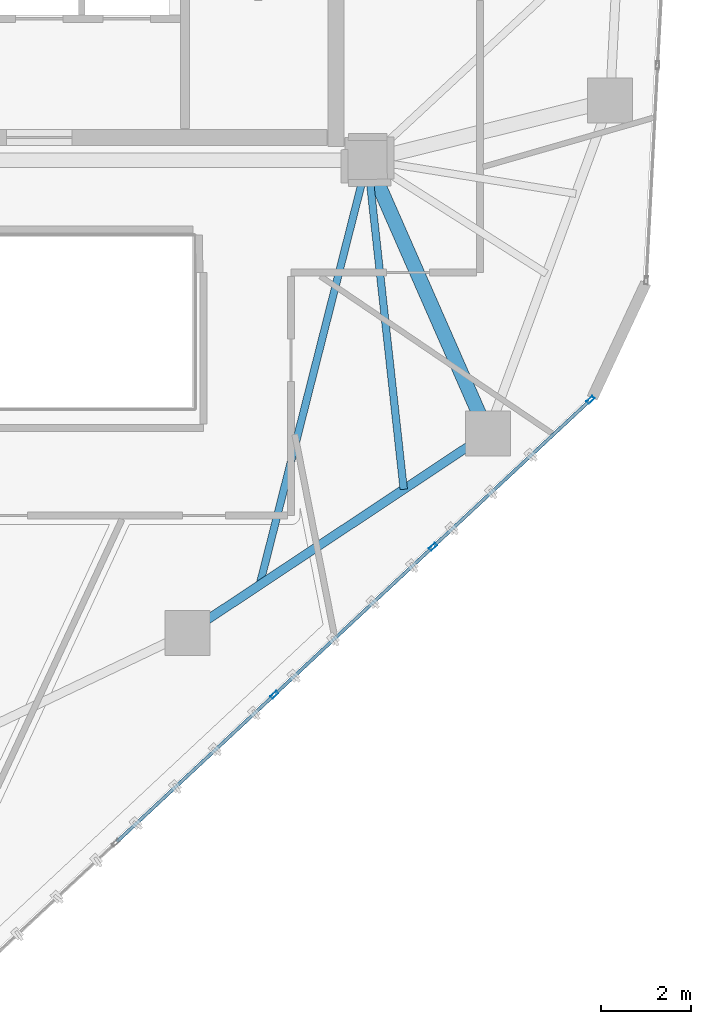
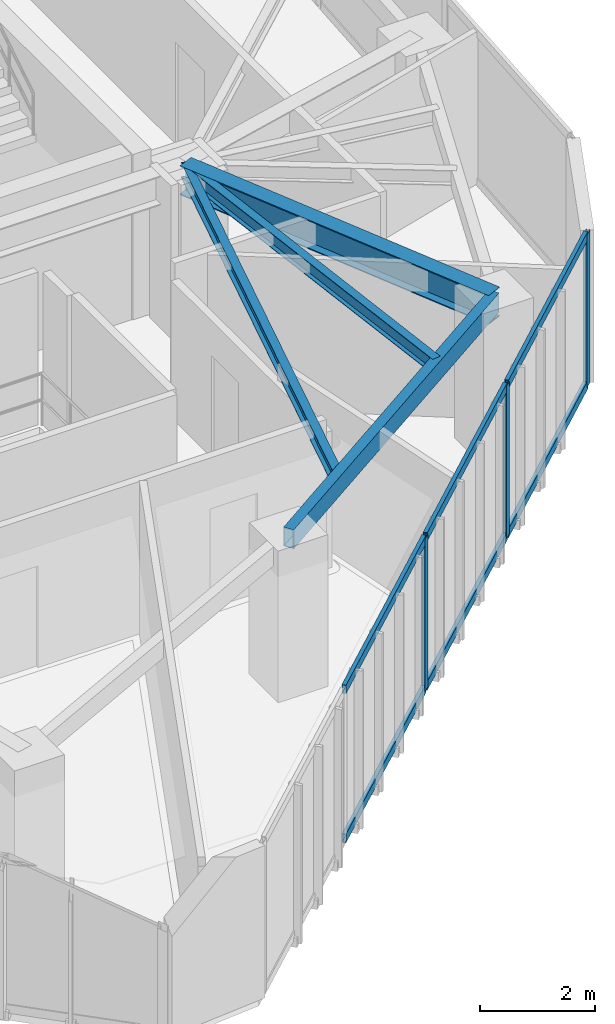
# One storey, part 5 of 19: 9 members, 4 beams, 1 element without a shape of its own.
"""IFC4 building model written with IfcOpenShell, lengths in metres."""

from ifc_helpers import new_model, si_unit, direction, frame, origin, origin_2d, place, context, subcontext, project, spatial, hollow_rectangle, i_section, extrude, source, transform, mapped, material, layer, layer_set, material_profile, profile_set, type_object, type_shapes, element, aggregate, save


model = new_model("IFC4")

# Units and contexts
model_context = context("Model", 3, precision=1e-05, world=origin(), true_north=direction((0.0, 1.0)))
body_context = subcontext(model_context, "Body", "Model", "MODEL_VIEW")
ifc_project = project(units=[si_unit("LENGTHUNIT", "METRE"), si_unit("AREAUNIT", "SQUARE_METRE"), si_unit("VOLUMEUNIT", "CUBIC_METRE"), si_unit("PLANEANGLEUNIT", "RADIAN"), si_unit("MASSUNIT", "GRAM", prefix="KILO")], contexts=[model_context])

# Site, building, storey
site_placement = place(None, origin())
site = spatial("IfcSite", under=ifc_project, at=site_placement, CompositionType="ELEMENT")
building_placement = place(site_placement, origin())
building = spatial("IfcBuilding", under=site, at=building_placement, Name="Talar Marvaseh", CompositionType="ELEMENT")
storey_placement = place(building_placement, frame((0.0, 0.0, 218.699951171875)))
storey = spatial("IfcBuildingStorey", under=building, at=storey_placement, Name="L57", CompositionType="ELEMENT", Elevation=218.699951171875)

# Beams
ifc_material_1 = material(Name="Steel S355", Category="steel")
ifc_material_profile_1 = material_profile(ifc_material_1, hollow_rectangle(XDim=0.199951171875, YDim=0.39990234375, WallThickness=0.013916015625, at=origin_2d()), Name="RHS400x200x14")
ifc_profile_set_1 = profile_set([ifc_material_profile_1], Name="Steel S355")
beam_type_1 = type_object("IfcBeamType", Name="Zone 3 Perimeter Spandrel Beam RHS400x200x14", PredefinedType="SPANDREL", material=ifc_profile_set_1)
beam_1_placement = place(storey_placement, frame((35.970947265625, 19.423095703125, 3.030029296875), z_axis=(-0.833127464163, -0.553081032452, 0.0), x_axis=(0.553081032452, -0.833127464163, 0.0)))
element("IfcBeam", 1, at=beam_1_placement, inside=storey, type_object=beam_type_1, Name="L57 Zone 3 Perimeter Spandrel Beam RHS400x200x14", PredefinedType="SPANDREL", context=body_context, shape_type="SweptSolid", body=[
    extrude(hollow_rectangle(XDim=0.199951171875, YDim=0.39990234375, WallThickness=0.013916015625, at=origin_2d()), origin(), (0.0, 0.0, 1.0), 8.00830078125),
])
ifc_material_profile_2 = material_profile(ifc_material_1, i_section(OverallWidth=0.324951171875, OverallDepth=0.615966796875, WebThickness=0.013916015625, FlangeThickness=0.021484375, at=origin_2d()), Name="W610x174")
ifc_profile_set_2 = profile_set([ifc_material_profile_2], Name="Steel S355")
beam_type_2 = type_object("IfcBeamType", Name="Zone 3 Radial Floor Girder W610x174", PredefinedType="BEAM", material=ifc_profile_set_2)
beam_2_placement = place(storey_placement, frame((35.970947265625, 19.423095703125, 2.922119140625), z_axis=(-0.402367581672, 0.91547819702, 0.0), x_axis=(-0.91547819702, -0.402367581672, 0.0)))
element("IfcBeam", 2, at=beam_2_placement, inside=storey, type_object=beam_type_2, Name="L57 Zone 3 Radial Floor Girder W610x174", PredefinedType="BEAM", context=body_context, shape_type="SweptSolid", body=[
    extrude(i_section(OverallWidth=0.324951171875, OverallDepth=0.615966796875, WebThickness=0.013916015625, FlangeThickness=0.021484375, at=origin_2d()), origin(), (0.0, 0.0, 1.0), 6.637939453125),
])
ifc_material_profile_3 = material_profile(ifc_material_1, i_section(OverallWidth=0.166015625, OverallDepth=0.31298828125, WebThickness=0.006591796875, FlangeThickness=0.01123046875, at=origin_2d()), Name="W310x45")
ifc_profile_set_3 = profile_set([ifc_material_profile_3], Name="Steel S355")
beam_type_3 = type_object("IfcBeamType", Name="Zone 3 Secondary Floor Joist W310x45", PredefinedType="JOIST", material=ifc_profile_set_3)
beam_3_placement = place(storey_placement, frame((34.102783203125, 18.182861328125, 3.073486328125), z_axis=(-0.109051770147, 0.994036071492, 0.0), x_axis=(-0.994036071492, -0.109051770147, 0.0)))
element("IfcBeam", 3, at=beam_3_placement, inside=storey, type_object=beam_type_3, Name="L57 Zone 3 Secondary Floor Joist W310x45", PredefinedType="JOIST", context=body_context, shape_type="SweptSolid", body=[
    extrude(i_section(OverallWidth=0.166015625, OverallDepth=0.31298828125, WebThickness=0.006591796875, FlangeThickness=0.01123046875, at=origin_2d()), origin(), (0.0, 0.0, 1.0), 7.361083984375),
])
beam_4_placement = place(storey_placement, frame((30.900390625, 16.056884765625, 3.073486328125), z_axis=(0.246289474123, 0.96919631393, 0.0), x_axis=(-0.96919631393, 0.246289474123, 0.0)))
element("IfcBeam", 4, at=beam_4_placement, inside=storey, type_object=beam_type_3, Name="L57 Zone 3 Secondary Floor Joist W310x45", PredefinedType="JOIST", context=body_context, shape_type="SweptSolid", body=[
    extrude(i_section(OverallWidth=0.166015625, OverallDepth=0.31298828125, WebThickness=0.006591796875, FlangeThickness=0.01123046875, at=origin_2d()), origin(), (0.0, 0.0, 1.0), 9.7431640625),
])

# Curtain wall, members
ifc_material_2 = material(Name="Architectural Aluminium", Category="aluminium")
ifc_layer = layer(ifc_material_2, 0.18994140625)
ifc_layer_set = layer_set([ifc_layer], Name="Architectural Aluminium")
curtain_wall_type = type_object("IfcCurtainWallType", Name="Unitised Solar Atelier Curtain Wall Z3", PredefinedType="NOTDEFINED", material=ifc_layer_set)
curtain_wall_placement = place(storey_placement, origin())
curtain_wall = element("IfcCurtainWall", 5, at=curtain_wall_placement, inside=storey, type_object=curtain_wall_type, Name="L57 Unitised Solar Atelier Curtain Wall Z3", PredefinedType="NOTDEFINED")
ifc_material_profile_4 = material_profile(ifc_material_2, hollow_rectangle(XDim=0.074951171875, YDim=0.179931640625, WallThickness=0.0048828125, at=origin_2d()), Name="RHS180x75x5")
ifc_profile_set_4 = profile_set([ifc_material_profile_4], Name="Architectural Aluminium")
member_type_1 = type_object("IfcMemberType", Name="Unitised Curtain Wall Standard Mullion RHS180x75x5", PredefinedType="MULLION", material=ifc_profile_set_4)
shared_shape_1 = source(origin(), body_context, "Body", "SweptSolid", [
    extrude(hollow_rectangle(XDim=0.074951171875, YDim=0.179931640625, WallThickness=0.0048828125, at=origin_2d()), origin(), (0.0, 0.0, 1.0), 3.22998046875),
])
type_shapes(member_type_1, [shared_shape_1])
member_1_placement = place(storey_placement, frame((38.252197265625, 20.17041015625, 0.0), z_axis=(0.0, 0.0, 1.0), x_axis=(0.682110225084, -0.731249369802, 0.0)))
member_1 = element("IfcMember", 6, at=member_1_placement, type_object=member_type_1, Name="CW-Z3 mullion 1", PredefinedType="MULLION", context=body_context, shape_type="MappedRepresentation", body=[
    mapped(shared_shape_1, transform((0.0, 0.0, 0.0), x_axis=(1.0, 0.0, 0.0), y_axis=(0.0, 1.0, 0.0), z_axis=(0.0, 0.0, 1.0), scale=1.0)),
])
member_2_placement = place(storey_placement, frame((34.753662109375, 16.90673828125, 0.0), z_axis=(0.0, 0.0, 1.0), x_axis=(0.682110225084, -0.731249369802, 0.0)))
member_2 = element("IfcMember", 7, at=member_2_placement, type_object=member_type_1, Name="CW-Z3 mullion 2", PredefinedType="MULLION", context=body_context, shape_type="MappedRepresentation", body=[
    mapped(shared_shape_1, transform((0.0, 0.0, 0.0), x_axis=(1.0, 0.0, 0.0), y_axis=(0.0, 1.0, 0.0), z_axis=(0.0, 0.0, 1.0), scale=1.0)),
])
member_3_placement = place(storey_placement, frame((31.2275390625, 13.61767578125, 0.0), z_axis=(0.0, 0.0, 1.0), x_axis=(0.682110225084, -0.731249369802, 0.0)))
member_3 = element("IfcMember", 8, at=member_3_placement, type_object=member_type_1, Name="CW-Z3 mullion 3", PredefinedType="MULLION", context=body_context, shape_type="MappedRepresentation", body=[
    mapped(shared_shape_1, transform((0.0, 0.0, 0.0), x_axis=(1.0, 0.0, 0.0), y_axis=(0.0, 1.0, 0.0), z_axis=(0.0, 0.0, 1.0), scale=1.0)),
])
ifc_material_profile_5 = material_profile(ifc_material_2, hollow_rectangle(XDim=0.074951171875, YDim=0.179931640625, WallThickness=0.0048828125, at=origin_2d()), Name="RHS180x75x5")
ifc_profile_set_5 = profile_set([ifc_material_profile_5], Name="Architectural Aluminium")
member_type_2 = type_object("IfcMemberType", Name="Unitised Curtain Wall Transom RHS180x75x5", PredefinedType="USERDEFINED", material=ifc_profile_set_5)
shared_shape_2 = source(origin(), body_context, "Body", "SweptSolid", [
    extrude(hollow_rectangle(XDim=0.074951171875, YDim=0.179931640625, WallThickness=0.0048828125, at=origin_2d()), origin(), (0.0, 0.0, 1.0), 4.70947265625),
])
member_4_placement = place(storey_placement, frame((38.224853515625, 20.144775390625, 0.03759765625), z_axis=(-0.731251761124, -0.682107661482, 0.0), x_axis=(0.682107661482, -0.731251761124, 0.0)))
member_4 = element("IfcMember", 9, at=member_4_placement, type_object=member_type_2, Name="CW-Z3 transom 1.1", ObjectType="TRANSOM", PredefinedType="USERDEFINED", context=body_context, shape_type="MappedRepresentation", body=[
    mapped(shared_shape_2, transform((0.0, 0.0, 0.0), x_axis=(1.0, 0.0, 0.0), y_axis=(0.0, 1.0, 0.0), z_axis=(0.0, 0.0, 1.0), scale=1.0)),
])
member_5_placement = place(storey_placement, frame((38.224853515625, 20.144775390625, 3.192626953125), z_axis=(-0.731251761124, -0.682107661482, 0.0), x_axis=(0.682107661482, -0.731251761124, 0.0)))
member_5 = element("IfcMember", 10, at=member_5_placement, type_object=member_type_2, Name="CW-Z3 transom 1.2", ObjectType="TRANSOM", PredefinedType="USERDEFINED", context=body_context, shape_type="MappedRepresentation", body=[
    mapped(shared_shape_2, transform((0.0, 0.0, 0.0), x_axis=(1.0, 0.0, 0.0), y_axis=(0.0, 1.0, 0.0), z_axis=(0.0, 0.0, 1.0), scale=1.0)),
])
shared_shape_3 = source(origin(), body_context, "Body", "SweptSolid", [
    extrude(hollow_rectangle(XDim=0.074951171875, YDim=0.179931640625, WallThickness=0.0048828125, at=origin_2d()), origin(), (0.0, 0.0, 1.0), 4.7470703125),
])
type_shapes(member_type_2, [shared_shape_2, shared_shape_3])
member_6_placement = place(storey_placement, frame((34.72607421875, 16.881103515625, 0.03759765625), z_axis=(-0.731238241534, -0.682122154836, 0.0), x_axis=(0.682122154836, -0.731238241534, 0.0)))
member_6 = element("IfcMember", 11, at=member_6_placement, type_object=member_type_2, Name="CW-Z3 transom 2.1", ObjectType="TRANSOM", PredefinedType="USERDEFINED", context=body_context, shape_type="MappedRepresentation", body=[
    mapped(shared_shape_3, transform((0.0, 0.0, 0.0), x_axis=(1.0, 0.0, 0.0), y_axis=(0.0, 1.0, 0.0), z_axis=(0.0, 0.0, 1.0), scale=1.0)),
])
member_7_placement = place(storey_placement, frame((34.72607421875, 16.881103515625, 3.192626953125), z_axis=(-0.731238241534, -0.682122154836, 0.0), x_axis=(0.682122154836, -0.731238241534, 0.0)))
member_7 = element("IfcMember", 12, at=member_7_placement, type_object=member_type_2, Name="CW-Z3 transom 2.2", ObjectType="TRANSOM", PredefinedType="USERDEFINED", context=body_context, shape_type="MappedRepresentation", body=[
    mapped(shared_shape_3, transform((0.0, 0.0, 0.0), x_axis=(1.0, 0.0, 0.0), y_axis=(0.0, 1.0, 0.0), z_axis=(0.0, 0.0, 1.0), scale=1.0)),
])
member_8_placement = place(storey_placement, frame((31.2001953125, 13.592041015625, 0.03759765625), z_axis=(-0.731262170294, -0.682096502188, 0.0), x_axis=(0.682096502188, -0.731262170294, 0.0)))
member_8 = element("IfcMember", 13, at=member_8_placement, type_object=member_type_2, Name="CW-Z3 transom 3.1", ObjectType="TRANSOM", PredefinedType="USERDEFINED", context=body_context, shape_type="MappedRepresentation", body=[
    mapped(shared_shape_3, transform((0.0, 0.0, 0.0), x_axis=(1.0, 0.0, 0.0), y_axis=(0.0, 1.0, 0.0), z_axis=(0.0, 0.0, 1.0), scale=1.0)),
])
member_9_placement = place(storey_placement, frame((31.2001953125, 13.592041015625, 3.192626953125), z_axis=(-0.731262170294, -0.682096502188, 0.0), x_axis=(0.682096502188, -0.731262170294, 0.0)))
member_9 = element("IfcMember", 14, at=member_9_placement, type_object=member_type_2, Name="CW-Z3 transom 3.2", ObjectType="TRANSOM", PredefinedType="USERDEFINED", context=body_context, shape_type="MappedRepresentation", body=[
    mapped(shared_shape_3, transform((0.0, 0.0, 0.0), x_axis=(1.0, 0.0, 0.0), y_axis=(0.0, 1.0, 0.0), z_axis=(0.0, 0.0, 1.0), scale=1.0)),
])
aggregate(curtain_wall, [member_1, member_2, member_3, member_4, member_5, member_6, member_7, member_8, member_9])

save(model, "model.ifc")
